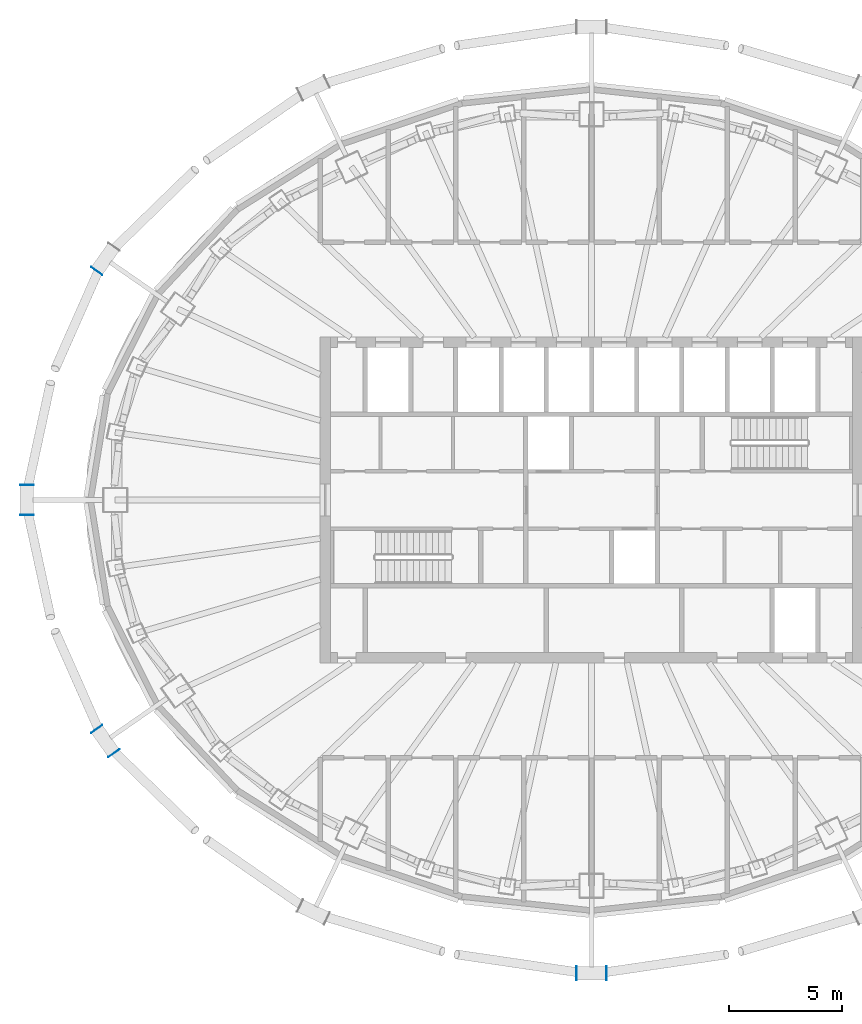
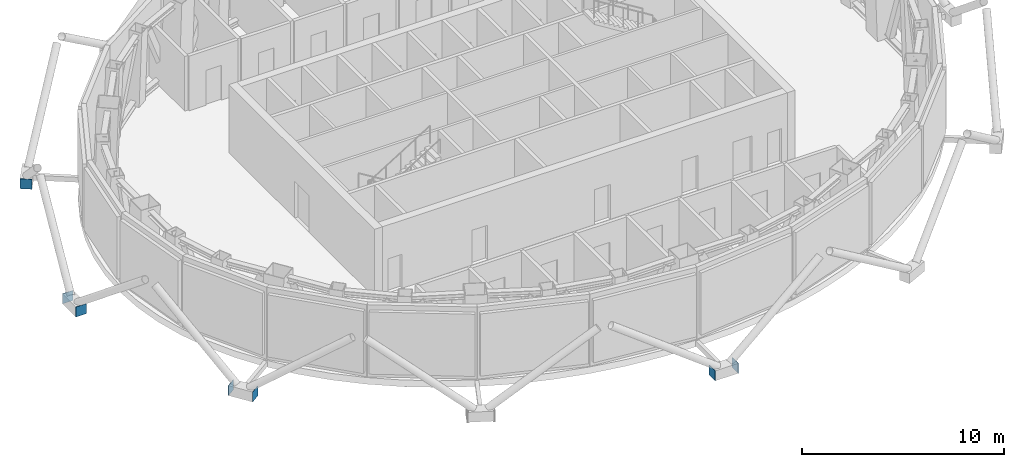
# One storey, part 9 of 15: 7 discrete accessories.
"""IFC4 building model written with IfcOpenShell, lengths in metres."""

import ifcopenshell
import ifcopenshell.guid

model = None  # the IFC model being written
_history = None  # IfcOwnerHistory: only IFC2X3 demands one
_inside = {}  # id of a spatial element -> (the spatial element, [elements in it])
_under = {}  # id of a project, library or spatial element -> (it, [spatial elements below it])
_declared = {}  # id of a project -> (the project, [libraries it declares])
_typed = {}  # id of a type object -> (the type object, [elements of that type])
_made_of = {}  # id of a material, layer set ... -> (it, [elements and type objects made of it])


def new_model(schema):
    """Start an empty IFC model of exactly this schema.

    Asked for "IFC4X3", IfcOpenShell would pick the latest addendum, in which some entities
    have other attributes; the version numbers below select the first issue.
    IFC2X3 requires an IfcOwnerHistory on every rooted entity: one is made here for all.
    """
    global model, _history
    if schema == "IFC4X3":
        model = ifcopenshell.file(schema_version=(4, 3, 0, 0))
    else:
        model = ifcopenshell.file(schema=schema)
    _inside.clear()
    _under.clear()
    _declared.clear()
    _typed.clear()
    _made_of.clear()
    _history = None
    if model.schema == "IFC2X3":
        org = make("IfcOrganization", Name="unknown")
        user = make(
            "IfcPersonAndOrganization",
            ThePerson=make("IfcPerson", FamilyName="unknown"),
            TheOrganization=org,
        )
        app = make(
            "IfcApplication",
            ApplicationDeveloper=org,
            Version="unknown",
            ApplicationFullName="unknown",
            ApplicationIdentifier="unknown",
        )
        _history = make(
            "IfcOwnerHistory",
            OwningUser=user,
            OwningApplication=app,
            ChangeAction="ADDED",
            CreationDate=0,
        )
    return model


def make(cls, **values):
    """One entity of the class cls with the attributes given. An attribute that is None is left unset."""
    return model.create_entity(
        cls, **{name: value for name, value in values.items() if value is not None}
    )


def rooted(cls, **values):
    """An entity with a GlobalId (a new one), such as an element, a storey or a relation."""
    return make(cls, GlobalId=ifcopenshell.guid.new(), OwnerHistory=_history, **values)


def si_unit(unit_type, name, prefix=None):
    """IfcSIUnit, for example si_unit("LENGTHUNIT", "METRE", prefix="MILLI")."""
    return make("IfcSIUnit", UnitType=unit_type, Prefix=prefix, Name=name)


def assignment(units):
    """IfcUnitAssignment: the units of a project."""
    return None if units is None else make("IfcUnitAssignment", Units=units)


def point(xyz):
    """IfcCartesianPoint."""
    return None if xyz is None else make("IfcCartesianPoint", Coordinates=xyz)


def direction(xyz):
    """IfcDirection."""
    return None if xyz is None else make("IfcDirection", DirectionRatios=xyz)


def frame(location, z_axis=None, x_axis=None):
    """IfcAxis2Placement3D, a coordinate frame: its origin and axes. An axis left out is left unset."""
    return make(
        "IfcAxis2Placement3D",
        Location=point(location),
        Axis=direction(z_axis),
        RefDirection=direction(x_axis),
    )


def frame_2d(location, x_axis=None):
    """IfcAxis2Placement2D, a coordinate frame in the plane: its origin and x axis."""
    return make(
        "IfcAxis2Placement2D", Location=point(location), RefDirection=direction(x_axis)
    )


def origin():
    """The frame at (0, 0, 0) with its axes left unset."""
    return frame((0.0, 0.0, 0.0))


def origin_2d():
    """The frame at (0, 0) in the plane with its x axis left unset."""
    return frame_2d((0.0, 0.0))


def place(relative_to, where):
    """IfcLocalPlacement: puts the frame where relative to a parent placement (None: the world)."""
    return make(
        "IfcLocalPlacement", PlacementRelTo=relative_to, RelativePlacement=where
    )


def context(
    kind, dimensions, precision=None, world=None, true_north=None, identifier=None
):
    """IfcGeometricRepresentationContext, for example the 3D "Model" context."""
    return make(
        "IfcGeometricRepresentationContext",
        ContextIdentifier=identifier,
        ContextType=kind,
        CoordinateSpaceDimension=dimensions,
        Precision=precision,
        WorldCoordinateSystem=world,
        TrueNorth=true_north,
    )


def subcontext(parent, identifier, kind, view, scale=None):
    """IfcGeometricRepresentationSubContext, for example "Body" below "Model"."""
    return make(
        "IfcGeometricRepresentationSubContext",
        ContextIdentifier=identifier,
        ContextType=kind,
        ParentContext=parent,
        TargetScale=scale,
        TargetView=view,
    )


def project(units=None, contexts=None):
    """IfcProject with its units and contexts."""
    return rooted(
        "IfcProject",
        Name="project",
        RepresentationContexts=contexts,
        UnitsInContext=assignment(units),
    )


def spatial(cls, under=None, at=None, **own):
    """A site, building, storey or space (cls), placed at a placement, below another one or the project."""
    s = rooted(cls, ObjectPlacement=at, **own)
    if under is not None:
        _under.setdefault(under.id(), (under, []))[1].append(s)
    return s


def profile(cls, at=None, kind="AREA", **sizes):
    """A parametric profile (cls). Its sizes go by their IFC names, for example OverallWidth=200.0."""
    return make(cls, ProfileType=kind, Position=at, **sizes)


def rectangle(**sizes):
    """IfcRectangleProfileDef."""
    return profile("IfcRectangleProfileDef", **sizes)


def extrude(swept, where, along, depth):
    """IfcExtrudedAreaSolid: the profile swept, set in the frame where, extruded along a direction by depth."""
    return make(
        "IfcExtrudedAreaSolid",
        SweptArea=swept,
        Position=where,
        ExtrudedDirection=direction(along),
        Depth=depth,
    )


def shape(context_of_items, identifier, shape_type, items):
    """IfcShapeRepresentation: the items that make up one representation, for example the "Body"."""
    return make(
        "IfcShapeRepresentation",
        ContextOfItems=context_of_items,
        RepresentationIdentifier=identifier,
        RepresentationType=shape_type,
        Items=items,
    )


def material(Name=None, Category=None):
    """IfcMaterial."""
    return make("IfcMaterial", Name=Name, Category=Category)


def layer(
    of_material, thickness, ventilated=None, Name=None, Category=None, Priority=None
):
    """IfcMaterialLayer: one layer of a wall or slab, of a material (None: an air gap)."""
    return make(
        "IfcMaterialLayer",
        Material=of_material,
        LayerThickness=thickness,
        IsVentilated=ventilated,
        Name=Name,
        Category=Category,
        Priority=Priority,
    )


def layer_set(layers, Name=None):
    """IfcMaterialLayerSet."""
    return make("IfcMaterialLayerSet", MaterialLayers=layers, LayerSetName=Name)


def made_of(thing, what):
    """Note that an element or type object is made of a material, layer set ...; save() writes the relation."""
    if what is not None:
        _made_of.setdefault(what.id(), (what, []))[1].append(thing)
    return thing


def type_object(cls, material=None, **own):
    """A type object (cls), such as IfcWallType, which elements share."""
    return made_of(rooted(cls, **own), material)


def element(
    cls,
    number,
    at=None,
    inside=None,
    cuts=None,
    type_object=None,
    material=None,
    context=None,
    identifier="Body",
    shape_type=None,
    held_by="IfcProductDefinitionShape",
    body=None,
    shapes=None,
    **own,
):
    """One element of the class cls, such as IfcWall. Its Tag is "e" and its number.

    at: its placement. inside: the storey or other place that contains it. cuts: it is an
    opening in that element (IfcRelVoidsElement). A single representation is given by context,
    identifier, shape_type and body (its items); several are given by shapes. held_by: the class
    of the entity that holds the representations. save() writes the other relations.
    """
    e = rooted(cls, Tag="e%d" % number, ObjectPlacement=at, **own)
    if body is not None:
        shapes = [shape(context, identifier, shape_type, body)]
    if shapes is not None:
        e.Representation = make(held_by, Representations=shapes)
    if inside is not None:
        _inside.setdefault(inside.id(), (inside, []))[1].append(e)
    if cuts is not None:
        rooted(
            "IfcRelVoidsElement", RelatingBuildingElement=cuts, RelatedOpeningElement=e
        )
    if type_object is not None:
        _typed.setdefault(type_object.id(), (type_object, []))[1].append(e)
    return made_of(e, material)


def aggregate(whole, parts):
    """IfcRelAggregates: a whole, such as a stair, and the parts it consists of."""
    return rooted("IfcRelAggregates", RelatingObject=whole, RelatedObjects=parts)


def save(model, path):
    """Write the relations noted so far, then the file.

    IfcRelAggregates (storeys below a building ...), IfcRelContainedInSpatialStructure (elements
    in a storey), IfcRelDefinesByType, IfcRelAssociatesMaterial and IfcRelDeclares: one each for
    every whole, place, type object, material and project.
    """
    for whole, parts in _under.values():
        aggregate(whole, parts)
    for where, things in _inside.values():
        rooted(
            "IfcRelContainedInSpatialStructure",
            RelatedElements=things,
            RelatingStructure=where,
        )
    for kind, things in _typed.values():
        rooted("IfcRelDefinesByType", RelatedObjects=things, RelatingType=kind)
    for what, things in _made_of.values():
        rooted("IfcRelAssociatesMaterial", RelatedObjects=things, RelatingMaterial=what)
    for by, libraries in _declared.values():
        rooted("IfcRelDeclares", RelatingContext=by, RelatedDefinitions=libraries)
    model.write(path)


model = new_model("IFC4")

# Units and contexts
model_context = context("Model", 3, precision=1e-05, world=origin(), true_north=direction((0.0, 1.0)))
body_context = subcontext(model_context, "Body", "Model", "MODEL_VIEW")
ifc_project = project(units=[si_unit("LENGTHUNIT", "METRE"), si_unit("AREAUNIT", "SQUARE_METRE"), si_unit("VOLUMEUNIT", "CUBIC_METRE"), si_unit("PLANEANGLEUNIT", "RADIAN"), si_unit("MASSUNIT", "GRAM", prefix="KILO")], contexts=[model_context])

# Site, building, storey
site_placement = place(None, origin())
site = spatial("IfcSite", under=ifc_project, at=site_placement, CompositionType="ELEMENT")
building_placement = place(site_placement, origin())
building = spatial("IfcBuilding", under=site, at=building_placement, Name="Siaravel Broadcast Tower", CompositionType="ELEMENT")
storey_placement = place(building_placement, frame((0.0, 0.0, 212.60009765625)))
storey = spatial("IfcBuildingStorey", under=building, at=storey_placement, Name="L51", CompositionType="ELEMENT", Elevation=212.60009765625)

# Discrete accessories
ifc_material = material(Name="Steel S355", Category="steel")
ifc_layer = layer(ifc_material, 0.02001953125)
ifc_layer_set = layer_set([ifc_layer], Name="Steel S355")
discrete_accessory_type = type_object("IfcDiscreteAccessoryType", Name="Steel end plate 20 mm", PredefinedType="USERDEFINED", material=ifc_layer_set)
for number, where, z_axis, x_axis, name in (
    (1, (-21.881591796875, 10.12548828125, -0.500244140625), (0.0, 0.0, 1.0), (-0.576118513, -0.817366172, 0.0), "End plate R21 station 30A"),
    (2, (-24.97607421875, -0.65673828125, -0.500244140625), (0.0, 0.0, 1.0), (0.0, -1.0, 0.0), "End plate R21 station 36A"),
    (3, (-24.97607421875, 0.65673828125, -0.500244140625), (0.0, 0.0, 1.0), (0.0, -1.0, 0.0), "End plate R21 station 36B"),
    (4, (-21.125, -11.198974609375, -0.500244140625), (0.0, 0.0, 1.0), (0.576118513, -0.817366172, 0.0), "End plate R21 station 42A"),
    (5, (-21.881591796875, -10.12548828125, -0.500244140625), (0.0, 0.0, 1.0), (0.576118513, -0.817366172, 0.0), "End plate R21 station 42B"),
    (6, (0.65673828125, -20.9287109375, -0.500244140625), (0.0, 0.0, 1.0), (1.0, 0.0, 0.0), "End plate R21 station 54A"),
    (7, (-0.65673828125, -20.9287109375, -0.500244140625), (0.0, 0.0, 1.0), (1.0, 0.0, 0.0), "End plate R21 station 54B"),
):
    element("IfcDiscreteAccessory", number, at=place(storey_placement, frame(where, z_axis=z_axis, x_axis=x_axis)), inside=storey, type_object=discrete_accessory_type, Name=name, ObjectType="END PLATE", PredefinedType="USERDEFINED", context=body_context, shape_type="SweptSolid", body=[
        extrude(rectangle(XDim=0.02001953125, YDim=0.60009765625, at=origin_2d()), origin(), (0.0, 0.0, 1.0), 0.60009765625),
    ])

save(model, "model.ifc")
